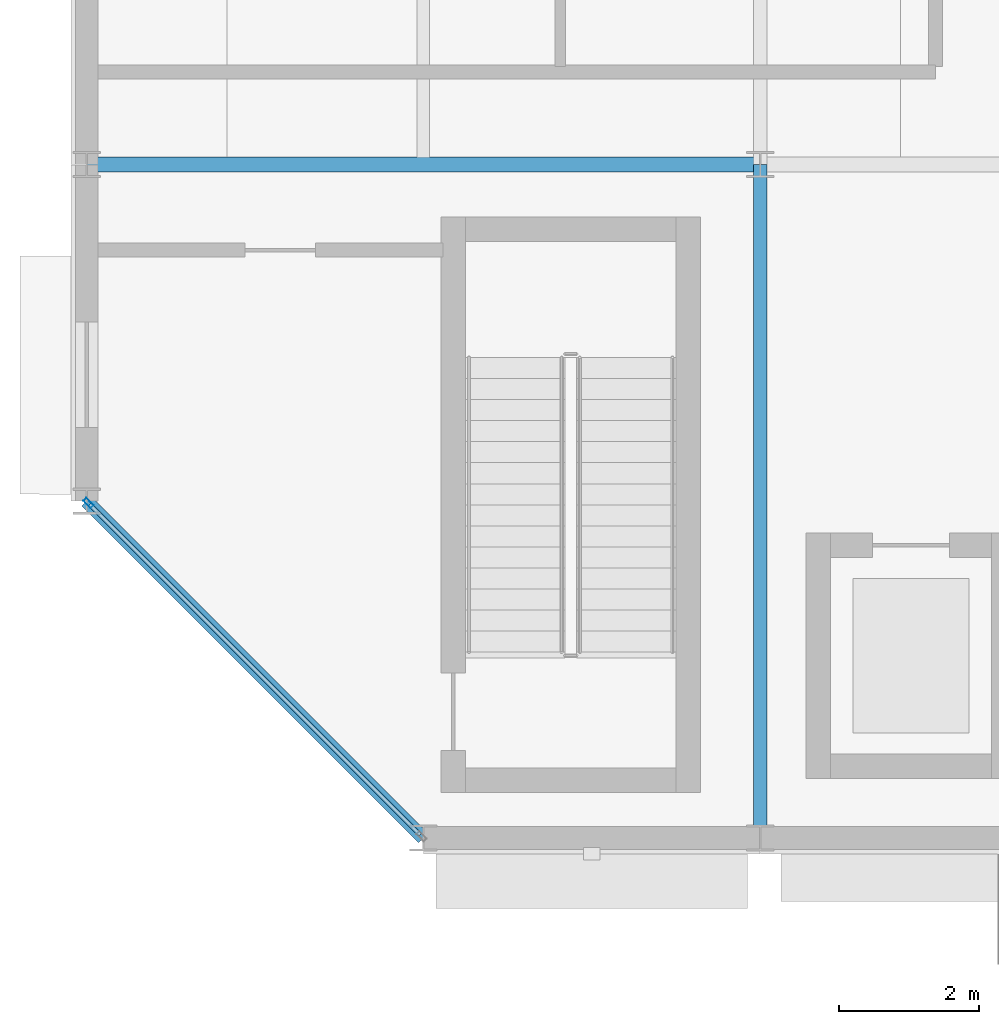
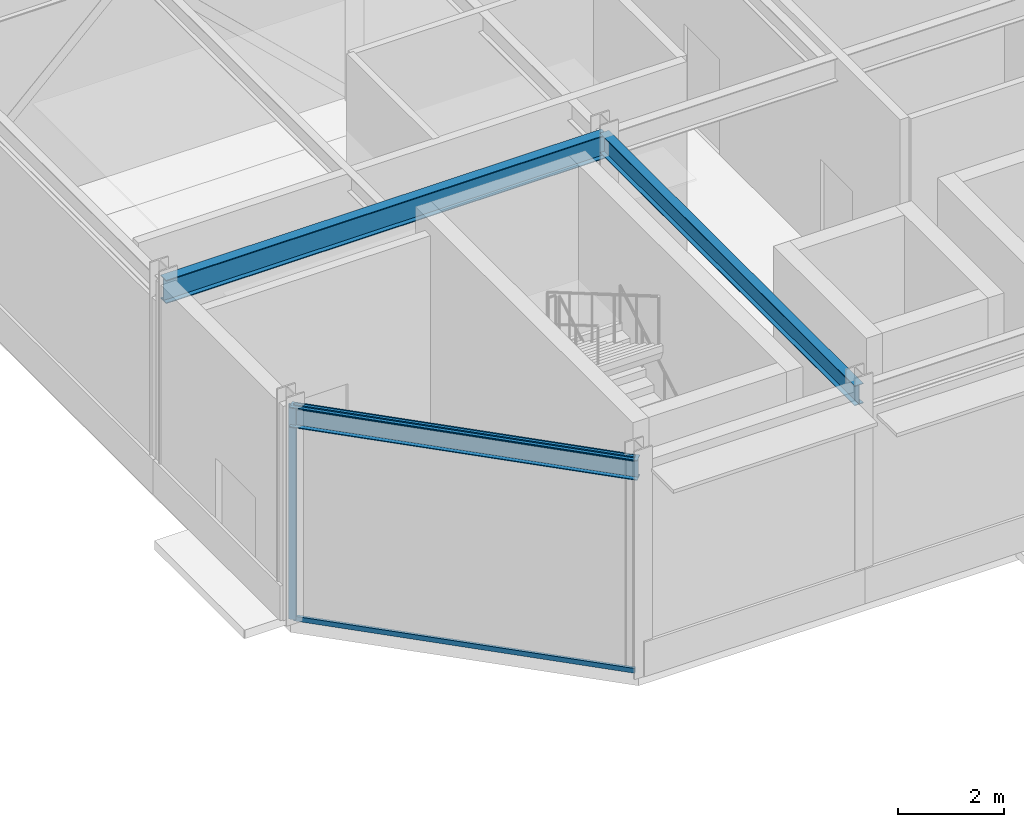
# One storey, part 61 of 168: 3 beams, 3 members, 1 element without a shape of its own.
"""IFC4 building model written with IfcOpenShell, lengths in metres."""

from ifc_helpers import new_model, si_unit, direction, frame, origin, origin_2d, place, context, subcontext, project, spatial, hollow_rectangle, i_section, extrude, material, material_profile, profile_set, type_object, element, aggregate, save


model = new_model("IFC4")

# Units and contexts
model_context = context("Model", 3, precision=1e-05, world=origin(), true_north=direction((0.0, 1.0)))
body_context = subcontext(model_context, "Body", "Model", "MODEL_VIEW")
ifc_project = project(units=[si_unit("LENGTHUNIT", "METRE"), si_unit("AREAUNIT", "SQUARE_METRE"), si_unit("VOLUMEUNIT", "CUBIC_METRE"), si_unit("PLANEANGLEUNIT", "RADIAN"), si_unit("MASSUNIT", "GRAM", prefix="KILO")], contexts=[model_context])

# Site, building, storey
site_placement = place(None, origin())
site = spatial("IfcSite", under=ifc_project, at=site_placement, CompositionType="ELEMENT")
building_placement = place(site_placement, origin())
building = spatial("IfcBuilding", under=site, at=building_placement, Name="Almandine Court Research Institute", CompositionType="ELEMENT")
storey_placement = place(building_placement, origin())
storey = spatial("IfcBuildingStorey", under=building, at=storey_placement, Name="L00", CompositionType="ELEMENT", Elevation=0.0)

# Beams
ifc_material_1 = material(Name="Steel ASTM A992 Grade 50", Category="steel")
ifc_material_profile_1 = material_profile(ifc_material_1, i_section(OverallWidth=0.18994140625, OverallDepth=0.45703125, WebThickness=0.009033203125, FlangeThickness=0.014892578125, at=origin_2d()), Name="W460x74")
ifc_profile_set_1 = profile_set([ifc_material_profile_1], Name="Steel ASTM A992 Grade 50")
beam_type_1 = type_object("IfcBeamType", Name="Beam-B-01", PredefinedType="BEAM", material=ifc_profile_set_1)
beam_1_placement = place(storey_placement, frame((15.60009765625, 84.0, 4.700927734375), z_axis=(0.0, 1.0, 0.0), x_axis=(-1.0, 0.0, 0.0)))
element("IfcBeam", 1, at=beam_1_placement, inside=storey, type_object=beam_type_1, Name="L00 V3 Primary Y Girder", PredefinedType="BEAM", context=body_context, shape_type="SweptSolid", body=[
    extrude(i_section(OverallWidth=0.18994140625, OverallDepth=0.45703125, WebThickness=0.009033203125, FlangeThickness=0.014892578125, at=origin_2d()), origin(), (0.0, 0.0, 1.0), 9.60009765625),
])
ifc_material_profile_2 = material_profile(ifc_material_1, i_section(OverallWidth=0.2109375, OverallDepth=0.5390625, WebThickness=0.011962890625, FlangeThickness=0.01904296875, at=origin_2d()), Name="W530x109")
ifc_profile_set_2 = profile_set([ifc_material_profile_2], Name="Steel ASTM A992 Grade 50")
beam_type_2 = type_object("IfcBeamType", Name="Beam-G-04", PredefinedType="BEAM", material=ifc_profile_set_2)
beam_2_placement = place(storey_placement, frame((6.0, 93.60009765625, 4.659912109375), z_axis=(1.0, 0.0, 0.0), x_axis=(0.0, 1.0, 0.0)))
element("IfcBeam", 2, at=beam_2_placement, inside=storey, type_object=beam_type_2, Name="L00 V3 Primary X Girder", PredefinedType="BEAM", context=body_context, shape_type="SweptSolid", body=[
    extrude(i_section(OverallWidth=0.2109375, OverallDepth=0.5390625, WebThickness=0.011962890625, FlangeThickness=0.01904296875, at=origin_2d()), origin(), (0.0, 0.0, 1.0), 9.60009765625),
])
ifc_material_profile_3 = material_profile(ifc_material_1, i_section(OverallWidth=0.193115234375, OverallDepth=0.466064453125, WebThickness=0.010986328125, FlangeThickness=0.01904296875, at=origin_2d()), Name="W460x97")
ifc_profile_set_3 = profile_set([ifc_material_profile_3], Name="Steel ASTM A992 Grade 50")
beam_type_3 = type_object("IfcBeamType", Name="Beam-G-06-E", PredefinedType="SPANDREL", material=ifc_profile_set_3)
beam_3_placement = place(storey_placement, frame((6.0, 88.800048828125, 4.697021484375), z_axis=(0.707106781187, -0.707106781187, 0.0), x_axis=(0.707106781187, 0.707106781187, 0.0)))
element("IfcBeam", 3, at=beam_3_placement, inside=storey, type_object=beam_type_3, Name="L00 V3 Octagonal Chamfer Spandrel", PredefinedType="SPANDREL", context=body_context, shape_type="SweptSolid", body=[
    extrude(i_section(OverallWidth=0.193115234375, OverallDepth=0.466064453125, WebThickness=0.010986328125, FlangeThickness=0.01904296875, at=origin_2d()), origin(), (0.0, 0.0, 1.0), 6.788330078125),
])

# Curtain wall, members
ifc_material_2 = material(Name="Unitised Curtain Wall Framing and Solar Glazing", Category="glass")
curtain_wall_type = type_object("IfcCurtainWallType", Name="CW-CWG-04", PredefinedType="USERDEFINED", material=ifc_material_2)
curtain_wall_placement = place(storey_placement, origin())
curtain_wall = element("IfcCurtainWall", 4, at=curtain_wall_placement, inside=storey, type_object=curtain_wall_type, Name="L00 Cleanroom SW Chamfer Glazing", ObjectType="UNITISED GLAZING", PredefinedType="USERDEFINED")
ifc_material_3 = material(Name="Anodised Aluminium AW-6063-T6", Category="aluminium")
ifc_material_profile_4 = material_profile(ifc_material_3, hollow_rectangle(XDim=0.06005859375, YDim=0.14990234375, WallThickness=0.00390625, at=origin_2d()), Name="ALU RHS 60x150x4")
ifc_profile_set_4 = profile_set([ifc_material_profile_4], Name="Anodised Aluminium AW-6063-T6")
member_type_1 = type_object("IfcMemberType", Name="CWMul-60x150", PredefinedType="MULLION", material=ifc_profile_set_4)
member_1_placement = place(storey_placement, frame((6.025146484375, 88.77490234375, 0.0), z_axis=(0.0, 0.0, 1.0), x_axis=(-0.707106781187, -0.707106781187, 0.0)))
member_1 = element("IfcMember", 5, at=member_1_placement, type_object=member_type_1, Name="CWG-04 mullion 2", PredefinedType="MULLION", context=body_context, shape_type="SweptSolid", body=[
    extrude(hollow_rectangle(XDim=0.06005859375, YDim=0.14990234375, WallThickness=0.00390625, at=origin_2d()), origin(), (0.0, 0.0, 1.0), 4.929931640625),
])
ifc_material_profile_5 = material_profile(ifc_material_3, hollow_rectangle(XDim=0.06005859375, YDim=0.110107421875, WallThickness=0.00390625, at=origin_2d()), Name="ALU RHS 60x110x4")
ifc_profile_set_5 = profile_set([ifc_material_profile_5], Name="Anodised Aluminium AW-6063-T6")
member_type_2 = type_object("IfcMemberType", Name="CWTrn-60x110", PredefinedType="NOTDEFINED", material=ifc_profile_set_5)
member_2_placement = place(storey_placement, frame((10.753662109375, 84.04638671875, 0.030029296875), z_axis=(-0.707106781187, 0.707106781187, 0.0), x_axis=(-0.707106781187, -0.707106781187, 0.0)))
member_2 = element("IfcMember", 6, at=member_2_placement, type_object=member_type_2, Name="CWG-04 transom 1.1", ObjectType="TRANSOM", PredefinedType="USERDEFINED", context=body_context, shape_type="SweptSolid", body=[
    extrude(hollow_rectangle(XDim=0.06005859375, YDim=0.110107421875, WallThickness=0.00390625, at=origin_2d()), origin(), (0.0, 0.0, 1.0), 6.656982421875),
])
member_3_placement = place(storey_placement, frame((10.753662109375, 84.04638671875, 4.89990234375), z_axis=(-0.707106781187, 0.707106781187, 0.0), x_axis=(-0.707106781187, -0.707106781187, 0.0)))
member_3 = element("IfcMember", 7, at=member_3_placement, type_object=member_type_2, Name="CWG-04 transom 1.2", ObjectType="TRANSOM", PredefinedType="USERDEFINED", context=body_context, shape_type="SweptSolid", body=[
    extrude(hollow_rectangle(XDim=0.06005859375, YDim=0.110107421875, WallThickness=0.00390625, at=origin_2d()), origin(), (0.0, 0.0, 1.0), 6.656982421875),
])
aggregate(curtain_wall, [member_1, member_2, member_3])

save(model, "model.ifc")
